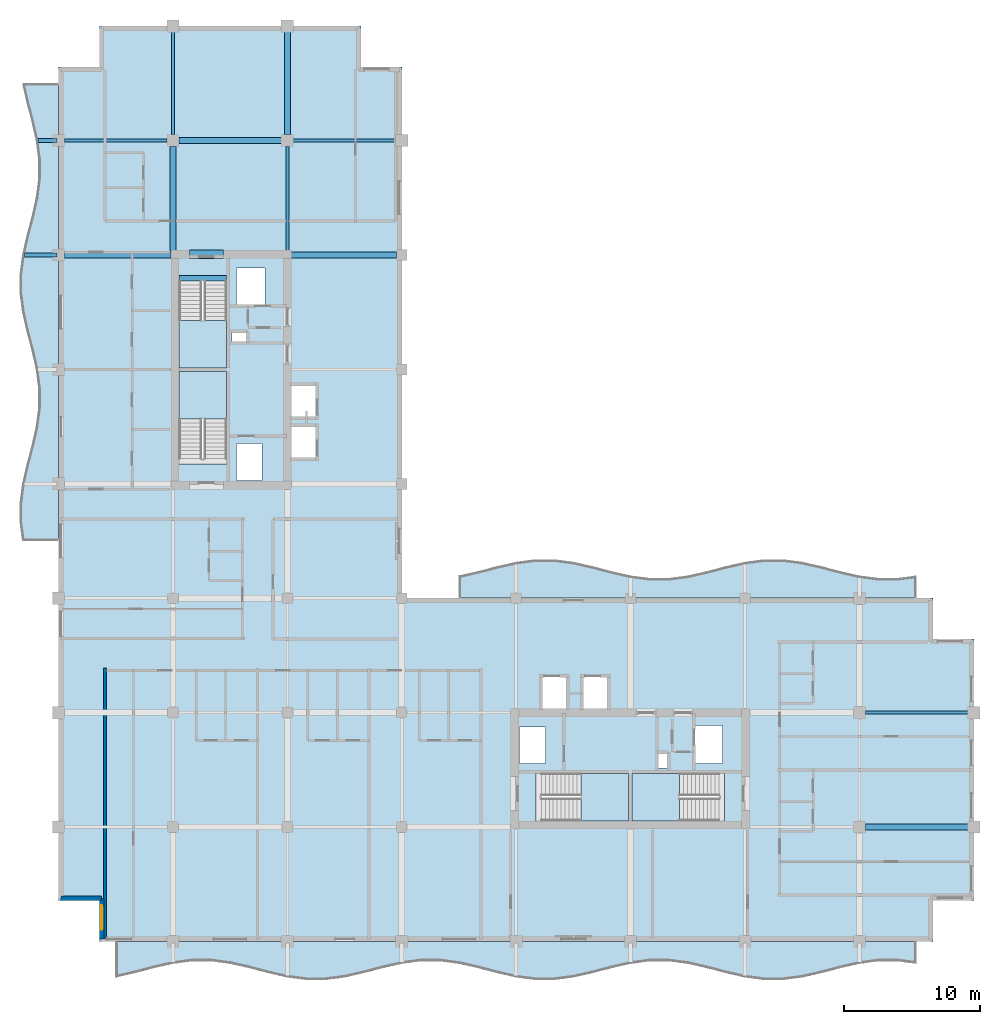
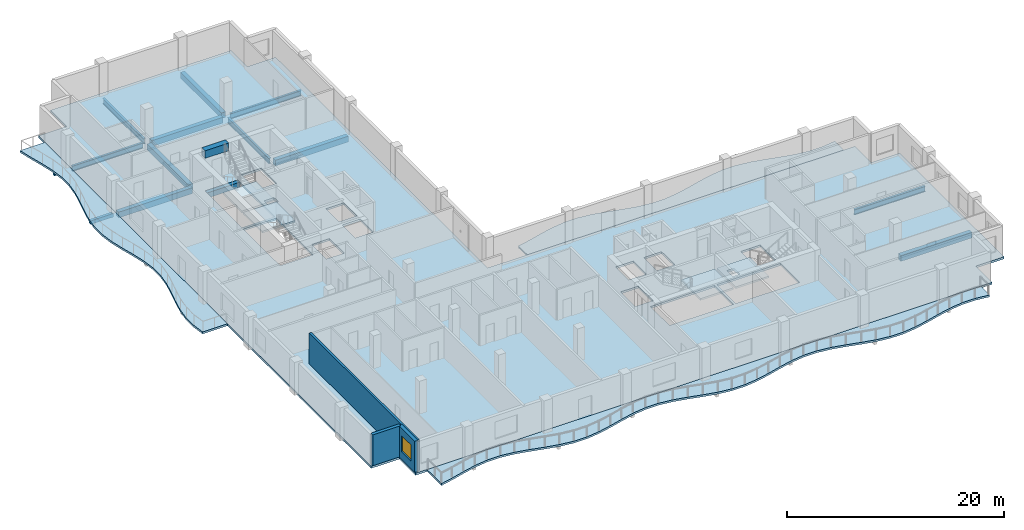
# One storey, part 2 of 12: 15 beams, 8 slabs, 3 walls, 1 window, 1 opening, 4 elements without a shape of their own.
"""IFC4 building model written with IfcOpenShell, lengths in metres."""

from ifc_helpers import new_model, si_unit, direction, frame, frame_2d, origin, origin_2d, place, context, subcontext, project, spatial, polyline, rectangle, i_section, outline, extrude, material, layer, layer_set, material_profile, profile_set, type_object, element, fill, aggregate, save


model = new_model("IFC4")

# Units and contexts
model_context = context("Model", 3, precision=1e-05, world=origin(), true_north=direction((0.0, 1.0)))
body_context = subcontext(model_context, "Body", "Model", "MODEL_VIEW")
ifc_project = project(units=[si_unit("LENGTHUNIT", "METRE"), si_unit("AREAUNIT", "SQUARE_METRE"), si_unit("VOLUMEUNIT", "CUBIC_METRE"), si_unit("PLANEANGLEUNIT", "RADIAN"), si_unit("MASSUNIT", "GRAM", prefix="KILO")], contexts=[model_context])

# Site, building, storey
site_placement = place(None, origin())
site = spatial("IfcSite", under=ifc_project, at=site_placement, CompositionType="ELEMENT")
building_placement = place(site_placement, origin())
building = spatial("IfcBuilding", under=site, at=building_placement, Name="Koriwani Terraces Tower", CompositionType="ELEMENT")
storey_placement = place(building_placement, frame((0.0, 0.0, 249.0)))
storey = spatial("IfcBuildingStorey", under=building, at=storey_placement, Name="L61", CompositionType="ELEMENT", Elevation=249.0)

# Beams
ifc_material_1 = material(Name="Concrete C40/50", Category="concrete")
ifc_material_profile_1 = material_profile(ifc_material_1, rectangle(XDim=0.300048828125, YDim=0.39990234375, at=origin_2d()), Name="Concrete C40/50", Category="LoadBearing")
ifc_profile_set_1 = profile_set([ifc_material_profile_1], Name="Concrete C40/50")
beam_type_1 = type_object("IfcBeamType", Name="BEAM_RC_BALCONY_RIB_300X400", PredefinedType="JOIST", material=ifc_profile_set_1)
beam_1_placement = place(storey_placement, frame((5.907958984375, 58.800048828125, -0.429931640625), z_axis=(1.0, 0.0, 0.0), x_axis=(0.0, 1.0, 0.0)))
element("IfcBeam", 1, at=beam_1_placement, inside=storey, type_object=beam_type_1, Name="L61 Balcony Bracket Rib W-3", PredefinedType="JOIST", context=body_context, shape_type="SweptSolid", body=[
    extrude(rectangle(XDim=0.300048828125, YDim=0.39990234375, at=origin_2d()), origin(), (0.0, 0.0, 1.0), 2.39208984375),
])
beam_2_placement = place(storey_placement, frame((6.912109375, 67.199951171875, -0.429931640625), z_axis=(1.0, 0.0, 0.0), x_axis=(0.0, 1.0, 0.0)))
element("IfcBeam", 2, at=beam_2_placement, inside=storey, type_object=beam_type_1, Name="L61 Balcony Bracket Rib W-4", PredefinedType="JOIST", context=body_context, shape_type="SweptSolid", body=[
    extrude(rectangle(XDim=0.300048828125, YDim=0.39990234375, at=origin_2d()), origin(), (0.0, 0.0, 1.0), 1.387939453125),
])
ifc_material_2 = material(Name="Concrete C50/60", Category="concrete")
ifc_material_profile_2 = material_profile(ifc_material_2, rectangle(XDim=0.60009765625, YDim=0.85009765625, at=origin_2d()), Name="Concrete C50/60", Category="LoadBearing")
ifc_profile_set_2 = profile_set([ifc_material_profile_2], Name="Concrete C50/60")
beam_type_2 = type_object("IfcBeamType", Name="BEAM_RC_COUPLING_600X850", PredefinedType="LINTEL", material=ifc_profile_set_2)
beam_3_placement = place(storey_placement, frame((18.0, 58.85009765625, 3.044921875), z_axis=(1.0, 0.0, 0.0), x_axis=(0.0, 1.0, 0.0)))
element("IfcBeam", 3, at=beam_3_placement, inside=storey, type_object=beam_type_2, Name="L61 Core Coupling Lintel Beam WN", PredefinedType="LINTEL", context=body_context, shape_type="SweptSolid", body=[
    extrude(rectangle(XDim=0.60009765625, YDim=0.85009765625, at=origin_2d()), origin(), (0.0, 0.0, 1.0), 2.5),
])
ifc_material_profile_3 = material_profile(ifc_material_1, rectangle(XDim=0.39990234375, YDim=0.60009765625, at=origin_2d()), Name="Concrete C40/50", Category="LoadBearing")
ifc_profile_set_3 = profile_set([ifc_material_profile_3], Name="Concrete C40/50")
beam_type_3 = type_object("IfcBeamType", Name="BEAM_RC_GRID_400X600", PredefinedType="BEAM", material=ifc_profile_set_3)
beam_4_placement = place(storey_placement, frame((17.25, 57.094970703125, -0.300048828125), z_axis=(1.0, 0.0, 0.0), x_axis=(0.0, 1.0, 0.0)))
element("IfcBeam", 4, at=beam_4_placement, inside=storey, type_object=beam_type_3, Name="L61 Stairwell Header Trimmer Beam ST-W2", PredefinedType="BEAM", context=body_context, shape_type="SweptSolid", body=[
    extrude(rectangle(XDim=0.39990234375, YDim=0.60009765625, at=origin_2d()), origin(), (0.0, 0.0, 1.0), 3.5),
])
ifc_material_profile_4 = material_profile(ifc_material_2, rectangle(XDim=0.449951171875, YDim=0.64990234375, at=origin_2d()), Name="Concrete C50/60", Category="LoadBearing")
ifc_profile_set_4 = profile_set([ifc_material_profile_4], Name="Concrete C50/60")
beam_type_4 = type_object("IfcBeamType", Name="BEAM_RC_GRID_450X650", PredefinedType="BEAM", material=ifc_profile_set_4)
beam_5_placement = place(storey_placement, frame((67.6298828125, 16.800048828125, -0.554931640625), z_axis=(1.0, 0.0, 0.0), x_axis=(0.0, 1.0, 0.0)))
element("IfcBeam", 5, at=beam_5_placement, inside=storey, type_object=beam_type_4, Name="L61 Grid Beam C (67.2-75.6m)", PredefinedType="BEAM", context=body_context, shape_type="SweptSolid", body=[
    extrude(rectangle(XDim=0.449951171875, YDim=0.64990234375, at=origin_2d()), origin(), (0.0, 0.0, 1.0), 7.5400390625),
])
beam_6_placement = place(storey_placement, frame((8.830078125, 58.800048828125, -0.554931640625), z_axis=(1.0, 0.0, 0.0), x_axis=(0.0, 1.0, 0.0)))
element("IfcBeam", 6, at=beam_6_placement, inside=storey, type_object=beam_type_4, Name="L61 Grid Beam H (8.4-16.8m)", PredefinedType="BEAM", context=body_context, shape_type="SweptSolid", body=[
    extrude(rectangle(XDim=0.449951171875, YDim=0.64990234375, at=origin_2d()), origin(), (0.0, 0.0, 1.0), 7.83984375),
])
beam_7_placement = place(storey_placement, frame((25.47998046875, 58.800048828125, -0.554931640625), z_axis=(1.0, 0.0, 0.0), x_axis=(0.0, 1.0, 0.0)))
element("IfcBeam", 7, at=beam_7_placement, inside=storey, type_object=beam_type_4, Name="L61 Grid Beam H (25.2-33.6m)", PredefinedType="BEAM", context=body_context, shape_type="SweptSolid", body=[
    extrude(rectangle(XDim=0.449951171875, YDim=0.64990234375, at=origin_2d()), origin(), (0.0, 0.0, 1.0), 7.739990234375),
])
beam_8_placement = place(storey_placement, frame((17.22998046875, 67.199951171875, -0.554931640625), z_axis=(1.0, 0.0, 0.0), x_axis=(0.0, 1.0, 0.0)))
element("IfcBeam", 8, at=beam_8_placement, inside=storey, type_object=beam_type_4, Name="L61 Grid Beam I (16.8-25.2m)", PredefinedType="BEAM", context=body_context, shape_type="SweptSolid", body=[
    extrude(rectangle(XDim=0.449951171875, YDim=0.64990234375, at=origin_2d()), origin(), (0.0, 0.0, 1.0), 7.5400390625),
])
beam_9_placement = place(storey_placement, frame((16.800048828125, 59.1298828125, -0.554931640625), z_axis=(0.0, 1.0, 0.0), x_axis=(-1.0, 0.0, 0.0)))
element("IfcBeam", 9, at=beam_9_placement, inside=storey, type_object=beam_type_4, Name="L61 Grid Beam 3 (58.8-67.2m)", PredefinedType="BEAM", context=body_context, shape_type="SweptSolid", body=[
    extrude(rectangle(XDim=0.449951171875, YDim=0.64990234375, at=origin_2d()), origin(), (0.0, 0.0, 1.0), 7.64013671875),
])
beam_10_placement = place(storey_placement, frame((25.199951171875, 67.6298828125, -0.554931640625), z_axis=(0.0, 1.0, 0.0), x_axis=(-1.0, 0.0, 0.0)))
element("IfcBeam", 10, at=beam_10_placement, inside=storey, type_object=beam_type_4, Name="L61 Grid Beam 4 (67.2-75.6m)", PredefinedType="BEAM", context=body_context, shape_type="SweptSolid", body=[
    extrude(rectangle(XDim=0.449951171875, YDim=0.64990234375, at=origin_2d()), origin(), (0.0, 0.0, 1.0), 7.5400390625),
])
ifc_material_3 = material(Name="Steel ASTM A572 Grade 50", Category="steel")
ifc_material_profile_5 = material_profile(ifc_material_3, i_section(OverallWidth=0.22900390625, OverallDepth=0.611083984375, WebThickness=0.0126953125, FlangeThickness=0.022216796875, at=origin_2d()), Name="Steel ASTM A572 Grade 50", Category="LoadBearing")
ifc_profile_set_5 = profile_set([ifc_material_profile_5], Name="Steel ASTM A572 Grade 50")
beam_type_5 = type_object("IfcBeamType", Name="STEEL_BEAM_W610X155", PredefinedType="BEAM", material=ifc_profile_set_5)
for number, where, z_axis, x_axis, name in (
    (11, (67.6298828125, 25.199951171875, -0.535400390625), (1.0, 0.0, 0.0), (0.0, 1.0, 0.0), "L61 Grid Beam D (67.2-75.6m)"),
    (12, (8.830078125, 67.199951171875, -0.535400390625), (1.0, 0.0, 0.0), (0.0, 1.0, 0.0), "L61 Grid Beam I (8.4-16.8m)"),
    (13, (25.6298828125, 67.199951171875, -0.535400390625), (1.0, 0.0, 0.0), (0.0, 1.0, 0.0), "L61 Grid Beam I (25.2-33.6m)"),
    (14, (16.800048828125, 67.6298828125, -0.535400390625), (0.0, 1.0, 0.0), (-1.0, 0.0, 0.0), "L61 Grid Beam 3 (67.2-75.6m)"),
):
    element("IfcBeam", number, at=place(storey_placement, frame(where, z_axis=z_axis, x_axis=x_axis)), inside=storey, type_object=beam_type_5, Name=name, PredefinedType="BEAM", context=body_context, shape_type="SweptSolid", body=[
        extrude(i_section(OverallWidth=0.22900390625, OverallDepth=0.611083984375, WebThickness=0.0126953125, FlangeThickness=0.022216796875, at=origin_2d()), origin(), (0.0, 0.0, 1.0), 7.5400390625),
    ])
beam_11_placement = place(storey_placement, frame((25.199951171875, 59.1298828125, -0.535400390625), z_axis=(0.0, 1.0, 0.0), x_axis=(-1.0, 0.0, 0.0)))
element("IfcBeam", 15, at=beam_11_placement, inside=storey, type_object=beam_type_5, Name="L61 Grid Beam 4 (58.8-67.2m)", PredefinedType="BEAM", context=body_context, shape_type="SweptSolid", body=[
    extrude(i_section(OverallWidth=0.22900390625, OverallDepth=0.611083984375, WebThickness=0.0126953125, FlangeThickness=0.022216796875, at=origin_2d()), origin(), (0.0, 0.0, 1.0), 7.64013671875),
])

# Slabs
ifc_layer_1 = layer(ifc_material_1, 0.219970703125, Name="Concrete C40/50")
ifc_layer_set_1 = layer_set([ifc_layer_1], Name="Concrete C40/50")
slab_type_1 = type_object("IfcSlabType", Name="SLAB_BALCONY_220", PredefinedType="FLOOR", material=ifc_layer_set_1)
slab_1_placement = place(storey_placement, frame((0.0, 0.0, -0.219970703125)))
element("IfcSlab", 16, at=slab_1_placement, inside=storey, type_object=slab_type_1, Name="L61 Quilted Circular-Arc Balcony (S)", PredefinedType="FLOOR", context=body_context, shape_type="SweptSolid", body=[
    extrude(outline(polyline([(12.60009765625, 8.39990234375), (14.0, 8.39990234375), (15.39990234375, 8.39990234375), (16.800048828125, 8.39990234375), (18.199951171875, 8.39990234375), (19.60009765625, 8.39990234375), (21.0, 8.39990234375), (22.39990234375, 8.39990234375), (23.800048828125, 8.39990234375), (25.199951171875, 8.39990234375), (26.60009765625, 8.39990234375), (28.0, 8.39990234375), (29.39990234375, 8.39990234375), (30.800048828125, 8.39990234375), (32.199951171875, 8.39990234375), (33.60009765625, 8.39990234375), (35.0, 8.39990234375), (36.39990234375, 8.39990234375), (37.800048828125, 8.39990234375), (39.199951171875, 8.39990234375), (40.60009765625, 8.39990234375), (42.0, 8.39990234375), (43.39990234375, 8.39990234375), (44.800048828125, 8.39990234375), (46.199951171875, 8.39990234375), (47.60009765625, 8.39990234375), (49.0, 8.39990234375), (50.39990234375, 8.39990234375), (51.800048828125, 8.39990234375), (53.199951171875, 8.39990234375), (54.60009765625, 8.39990234375), (56.0, 8.39990234375), (57.39990234375, 8.39990234375), (58.800048828125, 8.39990234375), (60.199951171875, 8.39990234375), (61.60009765625, 8.39990234375), (63.0, 8.39990234375), (64.39990234375, 8.39990234375), (65.800048828125, 8.39990234375), (67.199951171875, 8.39990234375), (68.60009765625, 8.39990234375), (70.0, 8.39990234375), (71.39990234375, 8.39990234375), (71.39990234375, 6.761962890625), (70.0, 6.94580078125), (68.60009765625, 6.94580078125), (67.199951171875, 6.761962890625), (65.800048828125, 6.44384765625), (64.39990234375, 6.076171875), (63.0, 5.758056640625), (61.60009765625, 5.57421875), (60.199951171875, 5.57421875), (58.800048828125, 5.758056640625), (57.39990234375, 6.076171875), (56.0, 6.44384765625), (54.60009765625, 6.761962890625), (53.199951171875, 6.94580078125), (51.800048828125, 6.94580078125), (50.39990234375, 6.761962890625), (49.0, 6.44384765625), (47.60009765625, 6.076171875), (46.199951171875, 5.758056640625), (44.800048828125, 5.57421875), (43.39990234375, 5.57421875), (42.0, 5.758056640625), (40.60009765625, 6.076171875), (39.199951171875, 6.44384765625), (37.800048828125, 6.761962890625), (36.39990234375, 6.94580078125), (35.0, 6.94580078125), (33.60009765625, 6.761962890625), (32.199951171875, 6.44384765625), (30.800048828125, 6.076171875), (29.39990234375, 5.758056640625), (28.0, 5.57421875), (26.60009765625, 5.57421875), (25.199951171875, 5.758056640625), (23.800048828125, 6.076171875), (22.39990234375, 6.44384765625), (21.0, 6.761962890625), (19.60009765625, 6.94580078125), (18.199951171875, 6.94580078125), (16.800048828125, 6.761962890625), (15.39990234375, 6.44384765625), (14.0, 6.076171875), (12.60009765625, 5.758056640625), (12.60009765625, 8.39990234375)])), origin(), (0.0, 0.0, 1.0), 0.219970703125),
])
slab_2_placement = place(storey_placement, frame((0.0, 0.0, -0.219970703125)))
element("IfcSlab", 17, at=slab_2_placement, inside=storey, type_object=slab_type_1, Name="L61 Quilted Circular-Arc Balcony (W)", PredefinedType="FLOOR", context=body_context, shape_type="SweptSolid", body=[
    extrude(outline(polyline([(8.39990234375, 37.800048828125), (8.39990234375, 39.199951171875), (8.39990234375, 40.60009765625), (8.39990234375, 42.0), (8.39990234375, 43.39990234375), (8.39990234375, 44.800048828125), (8.39990234375, 46.199951171875), (8.39990234375, 47.60009765625), (8.39990234375, 49.0), (8.39990234375, 50.39990234375), (8.39990234375, 51.800048828125), (8.39990234375, 53.199951171875), (8.39990234375, 54.60009765625), (8.39990234375, 56.0), (8.39990234375, 57.39990234375), (8.39990234375, 58.800048828125), (8.39990234375, 60.199951171875), (8.39990234375, 61.60009765625), (8.39990234375, 63.0), (8.39990234375, 64.39990234375), (8.39990234375, 65.800048828125), (8.39990234375, 67.199951171875), (8.39990234375, 68.60009765625), (8.39990234375, 70.0), (8.39990234375, 71.39990234375), (5.758056640625, 71.39990234375), (6.076171875, 70.0), (6.44384765625, 68.60009765625), (6.761962890625, 67.199951171875), (6.94580078125, 65.800048828125), (6.94580078125, 64.39990234375), (6.761962890625, 63.0), (6.44384765625, 61.60009765625), (6.076171875, 60.199951171875), (5.758056640625, 58.800048828125), (5.57421875, 57.39990234375), (5.57421875, 56.0), (5.758056640625, 54.60009765625), (6.076171875, 53.199951171875), (6.44384765625, 51.800048828125), (6.761962890625, 50.39990234375), (6.94580078125, 49.0), (6.94580078125, 47.60009765625), (6.761962890625, 46.199951171875), (6.44384765625, 44.800048828125), (6.076171875, 43.39990234375), (5.758056640625, 42.0), (5.57421875, 40.60009765625), (5.57421875, 39.199951171875), (5.758056640625, 37.800048828125), (8.39990234375, 37.800048828125)])), origin(), (0.0, 0.0, 1.0), 0.219970703125),
])
slab_3_placement = place(storey_placement, frame((0.0, 0.0, -0.219970703125)))
element("IfcSlab", 18, at=slab_3_placement, inside=storey, type_object=slab_type_1, Name="L61 Quilted Circular-Arc Balcony (NE)", PredefinedType="FLOOR", context=body_context, shape_type="SweptSolid", body=[
    extrude(outline(polyline([(71.39990234375, 33.60009765625), (70.0, 33.60009765625), (68.60009765625, 33.60009765625), (67.199951171875, 33.60009765625), (65.800048828125, 33.60009765625), (64.39990234375, 33.60009765625), (63.0, 33.60009765625), (61.60009765625, 33.60009765625), (60.199951171875, 33.60009765625), (58.800048828125, 33.60009765625), (57.39990234375, 33.60009765625), (56.0, 33.60009765625), (54.60009765625, 33.60009765625), (53.199951171875, 33.60009765625), (51.800048828125, 33.60009765625), (50.39990234375, 33.60009765625), (49.0, 33.60009765625), (47.60009765625, 33.60009765625), (46.199951171875, 33.60009765625), (44.800048828125, 33.60009765625), (43.39990234375, 33.60009765625), (42.0, 33.60009765625), (40.60009765625, 33.60009765625), (39.199951171875, 33.60009765625), (37.800048828125, 33.60009765625), (37.800048828125, 35.238037109375), (39.199951171875, 35.55615234375), (40.60009765625, 35.923828125), (42.0, 36.241943359375), (43.39990234375, 36.42578125), (44.800048828125, 36.42578125), (46.199951171875, 36.241943359375), (47.60009765625, 35.923828125), (49.0, 35.55615234375), (50.39990234375, 35.238037109375), (51.800048828125, 35.05419921875), (53.199951171875, 35.05419921875), (54.60009765625, 35.238037109375), (56.0, 35.55615234375), (57.39990234375, 35.923828125), (58.800048828125, 36.241943359375), (60.199951171875, 36.42578125), (61.60009765625, 36.42578125), (63.0, 36.241943359375), (64.39990234375, 35.923828125), (65.800048828125, 35.55615234375), (67.199951171875, 35.238037109375), (68.60009765625, 35.05419921875), (70.0, 35.05419921875), (71.39990234375, 35.238037109375), (71.39990234375, 33.60009765625)])), origin(), (0.0, 0.0, 1.0), 0.219970703125),
])
ifc_layer_2 = layer(ifc_material_1, 0.22998046875, Name="Concrete C40/50")
ifc_layer_set_2 = layer_set([ifc_layer_2], Name="Concrete C40/50")
slab_type_2 = type_object("IfcSlabType", Name="SLAB_RES_TYP_230", PredefinedType="FLOOR", material=ifc_layer_set_2)
slab_4_placement = place(storey_placement, frame((0.0, 0.0, -0.22998046875)))
element("IfcSlab", 19, at=slab_4_placement, inside=storey, type_object=slab_type_2, Name="L61 Structural Floor Slab", PredefinedType="FLOOR", context=body_context, shape_type="SweptSolid", body=[
    extrude(outline(polyline([(11.39990234375, 8.39990234375), (72.60009765625, 8.39990234375), (72.60009765625, 11.39990234375), (75.60009765625, 11.39990234375), (75.60009765625, 30.60009765625), (72.60009765625, 30.60009765625), (72.60009765625, 33.60009765625), (33.60009765625, 33.60009765625), (33.60009765625, 72.60009765625), (30.60009765625, 72.60009765625), (30.60009765625, 75.60009765625), (11.39990234375, 75.60009765625), (11.39990234375, 72.60009765625), (8.39990234375, 72.60009765625), (8.39990234375, 11.39990234375), (11.39990234375, 11.39990234375), (11.39990234375, 8.39990234375)]), holes=[polyline([(17.25, 43.4599609375), (20.75, 43.4599609375), (20.75, 50.25), (17.25, 50.25), (17.25, 43.4599609375)]), polyline([(17.25, 50.5), (20.75, 50.5), (20.75, 57.2900390625), (17.25, 57.2900390625), (17.25, 50.5)]), polyline([(43.4599609375, 17.25), (50.25, 17.25), (50.25, 20.75), (43.4599609375, 20.75), (43.4599609375, 17.25)]), polyline([(50.5, 17.25), (57.2900390625, 17.25), (57.2900390625, 20.75), (50.5, 20.75), (50.5, 17.25)]), polyline([(25.449951171875, 43.85009765625), (27.35009765625, 43.85009765625), (27.35009765625, 46.25), (25.449951171875, 46.25), (25.449951171875, 43.85009765625)]), polyline([(25.449951171875, 46.85009765625), (27.35009765625, 46.85009765625), (27.35009765625, 49.25), (25.449951171875, 49.25), (25.449951171875, 46.85009765625)]), polyline([(43.85009765625, 25.449951171875), (45.75, 25.449951171875), (45.75, 27.85009765625), (43.85009765625, 27.85009765625), (43.85009765625, 25.449951171875)]), polyline([(46.85009765625, 25.449951171875), (48.75, 25.449951171875), (48.75, 27.85009765625), (46.85009765625, 27.85009765625), (46.85009765625, 25.449951171875)]), polyline([(21.449951171875, 55.050048828125), (23.550048828125, 55.050048828125), (23.550048828125, 57.85009765625), (21.449951171875, 57.85009765625), (21.449951171875, 55.050048828125)]), polyline([(55.050048828125, 21.449951171875), (57.14990234375, 21.449951171875), (57.14990234375, 24.25), (55.050048828125, 24.25), (55.050048828125, 21.449951171875)]), polyline([(21.449951171875, 42.25), (23.35009765625, 42.25), (23.35009765625, 44.949951171875), (21.449951171875, 44.949951171875), (21.449951171875, 42.25)]), polyline([(42.25, 21.449951171875), (44.14990234375, 21.449951171875), (44.14990234375, 24.14990234375), (42.25, 24.14990234375), (42.25, 21.449951171875)]), polyline([(21.14990234375, 52.419921875), (22.219970703125, 52.419921875), (22.219970703125, 53.179931640625), (21.14990234375, 53.179931640625), (21.14990234375, 52.419921875)]), polyline([(52.419921875, 21.14990234375), (53.179931640625, 21.14990234375), (53.179931640625, 22.219970703125), (52.419921875, 22.219970703125), (52.419921875, 21.14990234375)])]), origin(), (0.0, 0.0, 1.0), 0.22998046875),
])

# Stair, slab
stair_type = type_object("IfcStairType", Name="STAIR_CORE_DOGLEG_1650", PredefinedType="TWO_STRAIGHT_RUN_STAIR", material=ifc_material_1)
stair_1_placement = place(storey_placement, origin())
stair_1 = element("IfcStair", 20, at=stair_1_placement, inside=storey, type_object=stair_type, Name="L61 West Core Exit Stair 1", PredefinedType="HALF_TURN_STAIR")
ifc_layer_3 = layer(ifc_material_1, 0.199951171875, Name="Concrete C40/50")
ifc_layer_set_3 = layer_set([ifc_layer_3], Name="Concrete C40/50")
slab_type_3 = type_object("IfcSlabType", Name="SLAB_STAIR_LANDING_200", PredefinedType="LANDING", material=ifc_layer_set_3)
slab_5_placement = place(storey_placement, frame((0.0, 0.0, 1.64990234375)))
slab_5 = element("IfcSlab", 21, at=slab_5_placement, type_object=slab_type_3, Name="ST-W1 landing 1", PredefinedType="LANDING", context=body_context, shape_type="SweptSolid", body=[
    extrude(outline(polyline([(20.75, 46.75), (20.75, 50.25), (17.25, 50.25), (17.25, 46.75), (20.75, 46.75)])), origin(), (0.0, 0.0, 1.0), 0.2001953125),
])
aggregate(stair_1, [slab_5])

stair_2_placement = place(storey_placement, origin())
stair_2 = element("IfcStair", 22, at=stair_2_placement, inside=storey, type_object=stair_type, Name="L61 West Core Exit Stair 2", PredefinedType="HALF_TURN_STAIR")
slab_6_placement = place(storey_placement, frame((0.0, 0.0, 1.64990234375)))
slab_6 = element("IfcSlab", 23, at=slab_6_placement, type_object=slab_type_3, Name="ST-W2 landing 1", PredefinedType="LANDING", context=body_context, shape_type="SweptSolid", body=[
    extrude(outline(polyline([(17.25, 54.0), (17.25, 50.5), (20.75, 50.5), (20.75, 54.0), (17.25, 54.0)])), origin(), (0.0, 0.0, 1.0), 0.2001953125),
])
aggregate(stair_2, [slab_6])

stair_3_placement = place(storey_placement, origin())
stair_3 = element("IfcStair", 24, at=stair_3_placement, inside=storey, type_object=stair_type, Name="L61 East Core Exit Stair 1", PredefinedType="HALF_TURN_STAIR")
slab_7_placement = place(storey_placement, frame((0.0, 0.0, 1.64990234375)))
slab_7 = element("IfcSlab", 25, at=slab_7_placement, type_object=slab_type_3, Name="ST-E1 landing 1", PredefinedType="LANDING", context=body_context, shape_type="SweptSolid", body=[
    extrude(outline(polyline([(46.75, 17.25), (50.25, 17.25), (50.25, 20.75), (46.75, 20.75), (46.75, 17.25)])), origin(), (0.0, 0.0, 1.0), 0.2001953125),
])
aggregate(stair_3, [slab_7])

stair_4_placement = place(storey_placement, origin())
stair_4 = element("IfcStair", 26, at=stair_4_placement, inside=storey, type_object=stair_type, Name="L61 East Core Exit Stair 2", PredefinedType="HALF_TURN_STAIR")
slab_8_placement = place(storey_placement, frame((0.0, 0.0, 1.64990234375)))
slab_8 = element("IfcSlab", 27, at=slab_8_placement, type_object=slab_type_3, Name="ST-E2 landing 1", PredefinedType="LANDING", context=body_context, shape_type="SweptSolid", body=[
    extrude(outline(polyline([(54.0, 20.75), (50.5, 20.75), (50.5, 17.25), (54.0, 17.25), (54.0, 20.75)])), origin(), (0.0, 0.0, 1.0), 0.2001953125),
])
aggregate(stair_4, [slab_8])

# Wall
ifc_material_4 = material(Name="Autoclaved Cellular Concrete Blockwork", Category="masonry")
ifc_layer_4 = layer(ifc_material_4, 0.219970703125, Name="Autoclaved Cellular Concrete Blockwork")
ifc_layer_set_4 = layer_set([ifc_layer_4], Name="Autoclaved Cellular Concrete Blockwork")
wall_type_1 = type_object("IfcWallType", Name="WALL_DEMISING_220", PredefinedType="PARTITIONING", material=ifc_layer_set_4)
wall_1_placement = place(storey_placement, frame((11.800048828125, 8.60009765625, 0.0), z_axis=(0.0, 0.0, 1.0), x_axis=(0.0, 1.0, 0.0)))
element("IfcWall", 28, at=wall_1_placement, inside=storey, type_object=wall_type_1, Name="L61 Interior Wall WRDEM-L61-SW-0", PredefinedType="PARTITIONING", context=body_context, shape_type="SweptSolid", body=[
    extrude(rectangle(XDim=19.8798828125, YDim=0.219970703125, at=frame_2d((9.93994140625, 0.0))), origin(), (0.0, 0.0, 1.0), 3.469970703125),
])

# Wall, opening, window
ifc_layer_5 = layer(ifc_material_2, 0.35009765625, Name="Concrete C50/60")
ifc_layer_set_5 = layer_set([ifc_layer_5], Name="Concrete C50/60")
wall_type_2 = type_object("IfcWallType", Name="WALL_EXT_BRUTALIST_350", PredefinedType="STANDARD", material=ifc_layer_set_5)
wall_2_placement = place(storey_placement, frame((11.574951171875, 8.574951171875, 0.0), z_axis=(0.0, 0.0, 1.0), x_axis=(0.0, 1.0, 0.0)))
wall_2 = element("IfcWall", 29, at=wall_2_placement, inside=storey, type_object=wall_type_2, Name="L61 Fair-Faced Brutalist Exterior Wall (N0)", PredefinedType="STANDARD", context=body_context, shape_type="SweptSolid", body=[
    extrude(rectangle(XDim=3.0, YDim=0.35009765625, at=frame_2d((1.5, 0.0))), origin(), (0.0, 0.0, 1.0), 3.469970703125),
])
opening_placement = place(wall_2_placement, frame((0.677490234375, 0.0, 0.85009765625)))
opening = element("IfcOpeningElement", 30, at=opening_placement, cuts=wall_2, Name="Opening W-04", PredefinedType="OPENING", context=body_context, shape_type="SweptSolid", body=[
    extrude(rectangle(XDim=1.800048828125, YDim=1.800048828125, at=frame_2d((0.89990234375, 0.89990234375))), frame((0.0, 0.18505859375, 0.0), z_axis=(0.0, -1.0, 0.0), x_axis=(1.0, 0.0, 0.0)), (0.0, 0.0, 1.0), 0.3701171875),
])
ifc_material_5 = material(Name="Tempered Laminated Low-E Glass", Category="glass")
window_type = type_object("IfcWindowType", Name="WIN_RES_BED_1800X1800", PartitioningType="DOUBLE_PANEL_VERTICAL", PredefinedType="WINDOW", material=ifc_material_5)
window_placement = place(opening_placement, origin())
window = element("IfcWindow", 31, at=window_placement, inside=storey, type_object=window_type, Name="L61 Exterior Window (N0-R34)", OverallHeight=1.800048828125, OverallWidth=1.800048828125, PartitioningType="SINGLE_PANEL", PredefinedType="WINDOW", context=body_context, shape_type="SweptSolid", body=[
    extrude(rectangle(XDim=1.800048828125, YDim=1.800048828125, at=frame_2d((0.89990234375, 0.89990234375))), frame((0.0, 0.030029296875, 0.0), z_axis=(0.0, -1.0, 0.0), x_axis=(1.0, 0.0, 0.0)), (0.0, 0.0, 1.0), 0.06005859375),
])
fill(opening, window)

# Wall
wall_3_placement = place(storey_placement, frame((11.574951171875, 11.574951171875, 0.0), z_axis=(0.0, 0.0, 1.0), x_axis=(-1.0, 0.0, 0.0)))
element("IfcWall", 32, at=wall_3_placement, inside=storey, type_object=wall_type_2, Name="L61 Fair-Faced Brutalist Exterior Wall (N1)", PredefinedType="STANDARD", context=body_context, shape_type="SweptSolid", body=[
    extrude(rectangle(XDim=3.0, YDim=0.35009765625, at=frame_2d((1.5, 0.0))), origin(), (0.0, 0.0, 1.0), 3.469970703125),
])

save(model, "model.ifc")
